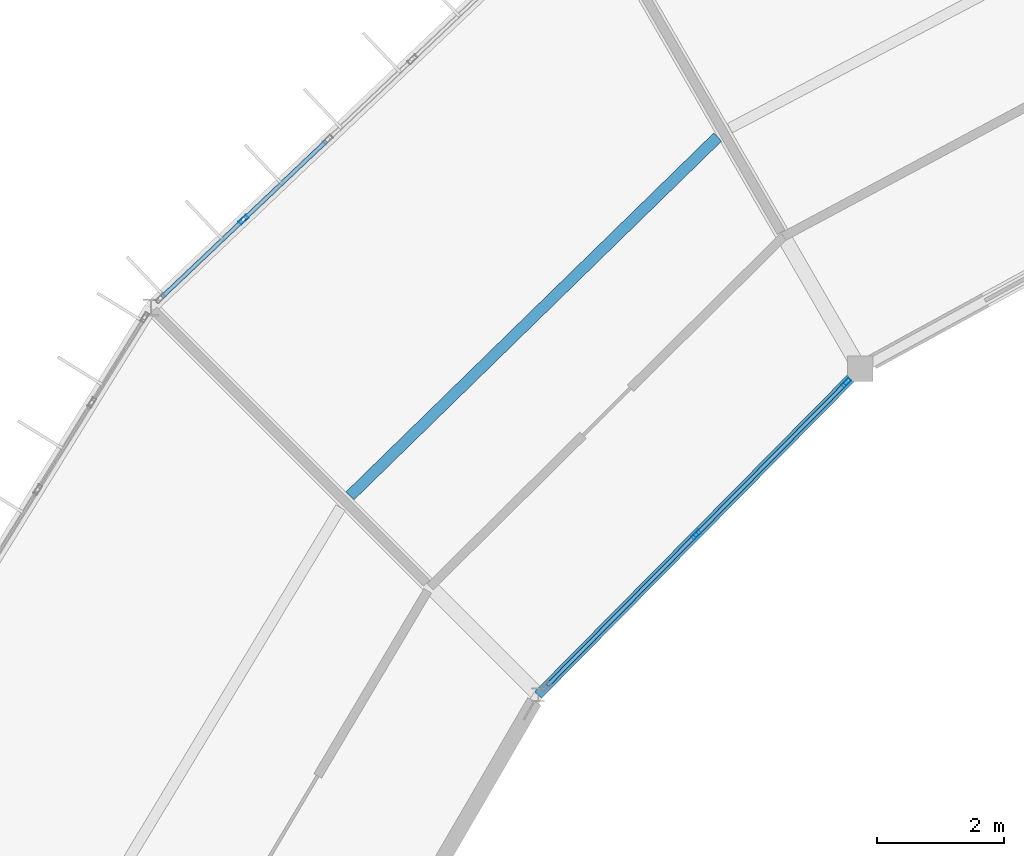
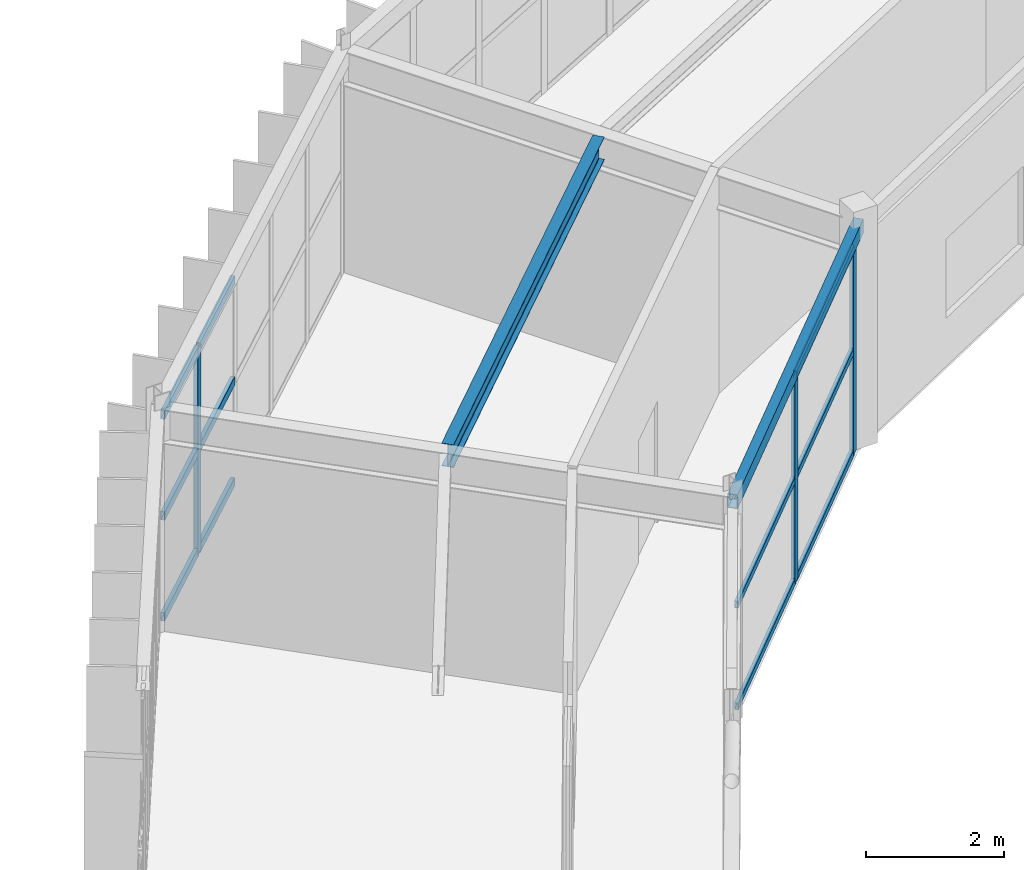
# One storey, part 69 of 134: 15 members, 2 beams, 2 elements without a shape of their own.
"""IFC4 building model written with IfcOpenShell, lengths in metres."""

from ifc_helpers import new_model, si_unit, direction, frame, origin, origin_2d, place, context, subcontext, project, spatial, hollow_rectangle, i_section, extrude, material, material_profile, profile_set, type_object, element, aggregate, save


model = new_model("IFC4")

# Units and contexts
model_context = context("Model", 3, precision=1e-05, world=origin(), true_north=direction((0.0, 1.0)))
body_context = subcontext(model_context, "Body", "Model", "MODEL_VIEW")
ifc_project = project(units=[si_unit("LENGTHUNIT", "METRE"), si_unit("AREAUNIT", "SQUARE_METRE"), si_unit("VOLUMEUNIT", "CUBIC_METRE"), si_unit("PLANEANGLEUNIT", "RADIAN"), si_unit("MASSUNIT", "GRAM", prefix="KILO")], contexts=[model_context])

# Site, building, storey
site_placement = place(None, origin())
site = spatial("IfcSite", under=ifc_project, at=site_placement, CompositionType="ELEMENT")
building_placement = place(site_placement, origin())
building = spatial("IfcBuilding", under=site, at=building_placement, Name="Karori Crest Natural Sciences Institute", CompositionType="ELEMENT")
storey_placement = place(building_placement, frame((0.0, 0.0, 21.699951171875)))
storey = spatial("IfcBuildingStorey", under=building, at=storey_placement, Name="L05", CompositionType="ELEMENT", Elevation=21.699951171875)

# Beams
ifc_material_1 = material(Name="Hollow structural steel AS/NZS 1163 Grade C350", Category="steel")
ifc_material_profile_1 = material_profile(ifc_material_1, hollow_rectangle(XDim=0.14990234375, YDim=0.25, WallThickness=0.009033203125, at=origin_2d()), Name="RHS250x150x9")
ifc_profile_set_1 = profile_set([ifc_material_profile_1], Name="Hollow structural steel AS/NZS 1163 Grade C350")
beam_type_1 = type_object("IfcBeamType", Name="BT-16", PredefinedType="SPANDREL", material=ifc_profile_set_1)
beam_1_placement = place(storey_placement, frame((54.199951171875, 77.785888671875, 3.7900390625), z_axis=(-0.70266285879, -0.711522948946, 0.0), x_axis=(0.711522948946, -0.70266285879, 0.0)))
element("IfcBeam", 1, at=beam_1_placement, inside=storey, type_object=beam_type_1, Name="Beam B-0572", PredefinedType="SPANDREL", context=body_context, shape_type="SweptSolid", body=[
    extrude(hollow_rectangle(XDim=0.14990234375, YDim=0.25, WallThickness=0.009033203125, at=origin_2d()), origin(), (0.0, 0.0, 1.0), 7.19189453125),
])
ifc_material_2 = material(Name="Structural steel AS/NZS 3679.1 Grade 350", Category="steel")
ifc_material_profile_2 = material_profile(ifc_material_2, i_section(OverallWidth=0.177978515625, OverallDepth=0.403076171875, WebThickness=0.007568359375, FlangeThickness=0.010986328125, FilletRadius=0.010986328125, at=origin_2d()), Name="410UB53.7")
ifc_profile_set_2 = profile_set([ifc_material_profile_2], Name="Structural steel AS/NZS 3679.1 Grade 350")
beam_type_2 = type_object("IfcBeamType", Name="BT-29", PredefinedType="BEAM", material=ifc_profile_set_2)
beam_2_placement = place(storey_placement, frame((51.964111328125, 81.426025390625, 3.738525390625), z_axis=(-0.715696324431, -0.698411605857, 0.0), x_axis=(0.698411605857, -0.715696324431, 0.0)))
element("IfcBeam", 2, at=beam_2_placement, inside=storey, type_object=beam_type_2, Name="Beam B-0574", PredefinedType="BEAM", context=body_context, shape_type="SweptSolid", body=[
    extrude(i_section(OverallWidth=0.177978515625, OverallDepth=0.403076171875, WebThickness=0.007568359375, FlangeThickness=0.010986328125, FilletRadius=0.010986328125, at=origin_2d()), origin(), (0.0, 0.0, 1.0), 8.065185546875),
])

# Curtain wall, member
ifc_material_3 = material(Name="Anodised architectural aluminium 6063-T6", Category="aluminium")
curtain_wall_type_1 = type_object("IfcCurtainWallType", Name="CWT-09", PredefinedType="NOTDEFINED", material=ifc_material_3)
curtain_wall_1_placement = place(storey_placement, origin())
curtain_wall_1 = element("IfcCurtainWall", 3, at=curtain_wall_1_placement, inside=storey, type_object=curtain_wall_type_1, Name="Curtain wall CW-0184", PredefinedType="NOTDEFINED")
ifc_material_profile_3 = material_profile(ifc_material_3, hollow_rectangle(XDim=0.06494140625, YDim=0.159912109375, WallThickness=0.00390625, at=origin_2d()), Name="CWM160x65x4")
ifc_profile_set_3 = profile_set([ifc_material_profile_3], Name="Anodised architectural aluminium 6063-T6")
member_type_1 = type_object("IfcMemberType", Name="CWM-01", PredefinedType="MULLION", material=ifc_profile_set_3)
member_1_placement = place(storey_placement, frame((44.5185546875, 80.12841796875, 0.0), z_axis=(0.0, 0.0, 1.0), x_axis=(-0.688250542104, 0.725473081026, 0.0)))
member_1 = element("IfcMember", 4, at=member_1_placement, type_object=member_type_1, Name="CW-0184 mullion 2", PredefinedType="MULLION", context=body_context, shape_type="SweptSolid", body=[
    extrude(hollow_rectangle(XDim=0.06494140625, YDim=0.159912109375, WallThickness=0.00390625, at=origin_2d()), origin(), (0.0, 0.0, 1.0), 3.625),
])

# Curtain wall, members
curtain_wall_type_2 = type_object("IfcCurtainWallType", Name="CWT-14", PredefinedType="NOTDEFINED", material=ifc_material_3)
curtain_wall_2_placement = place(storey_placement, origin())
curtain_wall_2 = element("IfcCurtainWall", 5, at=curtain_wall_2_placement, inside=storey, type_object=curtain_wall_type_2, Name="Curtain wall CW-0185", PredefinedType="NOTDEFINED")
member_2_placement = place(storey_placement, frame((53.98095703125, 77.564208984375, 0.0), z_axis=(0.0, 0.0, 1.0), x_axis=(0.711524963942, -0.702660818381, 0.0)))
member_2 = element("IfcMember", 6, at=member_2_placement, type_object=member_type_1, Name="CW-0185 mullion 1", PredefinedType="MULLION", context=body_context, shape_type="SweptSolid", body=[
    extrude(hollow_rectangle(XDim=0.06494140625, YDim=0.159912109375, WallThickness=0.00390625, at=origin_2d()), origin(), (0.0, 0.0, 1.0), 3.650146484375),
])
member_3_placement = place(storey_placement, frame((51.625732421875, 75.17919921875, 0.0), z_axis=(0.0, 0.0, 1.0), x_axis=(0.711524963942, -0.702660818381, 0.0)))
member_3 = element("IfcMember", 7, at=member_3_placement, type_object=member_type_1, Name="CW-0185 mullion 2", PredefinedType="MULLION", context=body_context, shape_type="SweptSolid", body=[
    extrude(hollow_rectangle(XDim=0.06494140625, YDim=0.159912109375, WallThickness=0.00390625, at=origin_2d()), origin(), (0.0, 0.0, 1.0), 3.650146484375),
])
ifc_material_profile_4 = material_profile(ifc_material_3, hollow_rectangle(XDim=0.06005859375, YDim=0.1201171875, WallThickness=0.00390625, at=origin_2d()), Name="CWT120x60x4")
ifc_profile_set_4 = profile_set([ifc_material_profile_4], Name="Anodised architectural aluminium 6063-T6")
member_type_2 = type_object("IfcMemberType", Name="CWT-TR1", PredefinedType="USERDEFINED", material=ifc_profile_set_4)
member_4_placement = place(storey_placement, frame((53.958251953125, 77.541259765625, 0.030029296875), z_axis=(-0.702636271003, -0.711549204673, 0.0), x_axis=(0.711549204673, -0.702636271003, 0.0)))
member_4 = element("IfcMember", 8, at=member_4_placement, type_object=member_type_2, Name="CW-0185 transom 1.1", ObjectType="TRANSOM", PredefinedType="USERDEFINED", context=body_context, shape_type="SweptSolid", body=[
    extrude(hollow_rectangle(XDim=0.06005859375, YDim=0.1201171875, WallThickness=0.00390625, at=origin_2d()), origin(), (0.0, 0.0, 1.0), 3.287109375),
])
member_5_placement = place(storey_placement, frame((53.958251953125, 77.541259765625, 1.824951171875), z_axis=(-0.702636271003, -0.711549204673, 0.0), x_axis=(0.711549204673, -0.702636271003, 0.0)))
member_5 = element("IfcMember", 9, at=member_5_placement, type_object=member_type_2, Name="CW-0185 transom 1.2", ObjectType="TRANSOM", PredefinedType="USERDEFINED", context=body_context, shape_type="SweptSolid", body=[
    extrude(hollow_rectangle(XDim=0.06005859375, YDim=0.1201171875, WallThickness=0.00390625, at=origin_2d()), origin(), (0.0, 0.0, 1.0), 3.287109375),
])
member_6_placement = place(storey_placement, frame((53.958251953125, 77.541259765625, 3.6201171875), z_axis=(-0.702636271003, -0.711549204673, 0.0), x_axis=(0.711549204673, -0.702636271003, 0.0)))
member_6 = element("IfcMember", 10, at=member_6_placement, type_object=member_type_2, Name="CW-0185 transom 1.3", ObjectType="TRANSOM", PredefinedType="USERDEFINED", context=body_context, shape_type="SweptSolid", body=[
    extrude(hollow_rectangle(XDim=0.06005859375, YDim=0.1201171875, WallThickness=0.00390625, at=origin_2d()), origin(), (0.0, 0.0, 1.0), 3.287109375),
])
member_7_placement = place(storey_placement, frame((51.60302734375, 75.15625, 0.030029296875), z_axis=(-0.702636271003, -0.711549204673, 0.0), x_axis=(0.711549204673, -0.702636271003, 0.0)))
member_7 = element("IfcMember", 11, at=member_7_placement, type_object=member_type_2, Name="CW-0185 transom 2.1", ObjectType="TRANSOM", PredefinedType="USERDEFINED", context=body_context, shape_type="SweptSolid", body=[
    extrude(hollow_rectangle(XDim=0.06005859375, YDim=0.1201171875, WallThickness=0.00390625, at=origin_2d()), origin(), (0.0, 0.0, 1.0), 3.287109375),
])
member_8_placement = place(storey_placement, frame((51.60302734375, 75.15625, 1.824951171875), z_axis=(-0.702636271003, -0.711549204673, 0.0), x_axis=(0.711549204673, -0.702636271003, 0.0)))
member_8 = element("IfcMember", 12, at=member_8_placement, type_object=member_type_2, Name="CW-0185 transom 2.2", ObjectType="TRANSOM", PredefinedType="USERDEFINED", context=body_context, shape_type="SweptSolid", body=[
    extrude(hollow_rectangle(XDim=0.06005859375, YDim=0.1201171875, WallThickness=0.00390625, at=origin_2d()), origin(), (0.0, 0.0, 1.0), 3.287109375),
])
member_9_placement = place(storey_placement, frame((51.60302734375, 75.15625, 3.6201171875), z_axis=(-0.702636271003, -0.711549204673, 0.0), x_axis=(0.711549204673, -0.702636271003, 0.0)))
member_9 = element("IfcMember", 13, at=member_9_placement, type_object=member_type_2, Name="CW-0185 transom 2.3", ObjectType="TRANSOM", PredefinedType="USERDEFINED", context=body_context, shape_type="SweptSolid", body=[
    extrude(hollow_rectangle(XDim=0.06005859375, YDim=0.1201171875, WallThickness=0.00390625, at=origin_2d()), origin(), (0.0, 0.0, 1.0), 3.287109375),
])
aggregate(curtain_wall_2, [member_2, member_3, member_4, member_5, member_6, member_7, member_8, member_9])

# Member
ifc_material_profile_5 = material_profile(ifc_material_3, hollow_rectangle(XDim=0.06494140625, YDim=0.14990234375, WallThickness=0.00390625, at=origin_2d()), Name="CWT150x65x4")
ifc_profile_set_5 = profile_set([ifc_material_profile_5], Name="Anodised architectural aluminium 6063-T6")
member_type_3 = type_object("IfcMemberType", Name="CWT-TR2", PredefinedType="USERDEFINED", material=ifc_profile_set_5)
member_10_placement = place(storey_placement, frame((43.2392578125, 78.914794921875, 0.032470703125), z_axis=(0.725481758098, 0.688241395636, 0.0), x_axis=(-0.688241395636, 0.725481758098, 0.0)))
member_10 = element("IfcMember", 14, at=member_10_placement, type_object=member_type_3, Name="CW-0184 transom 1.1", ObjectType="TRANSOM", PredefinedType="USERDEFINED", context=body_context, shape_type="SweptSolid", body=[
    extrude(hollow_rectangle(XDim=0.06494140625, YDim=0.14990234375, WallThickness=0.00390625, at=origin_2d()), origin(), (0.0, 0.0, 1.0), 1.730712890625),
])

member_11_placement = place(storey_placement, frame((43.2392578125, 78.914794921875, 1.8125), z_axis=(0.725481758098, 0.688241395636, 0.0), x_axis=(-0.688241395636, 0.725481758098, 0.0)))
member_11 = element("IfcMember", 15, at=member_11_placement, type_object=member_type_3, Name="CW-0184 transom 1.2", ObjectType="TRANSOM", PredefinedType="USERDEFINED", context=body_context, shape_type="SweptSolid", body=[
    extrude(hollow_rectangle(XDim=0.06494140625, YDim=0.14990234375, WallThickness=0.00390625, at=origin_2d()), origin(), (0.0, 0.0, 1.0), 1.730712890625),
])

member_12_placement = place(storey_placement, frame((43.2392578125, 78.914794921875, 3.592529296875), z_axis=(0.725481758098, 0.688241395636, 0.0), x_axis=(-0.688241395636, 0.725481758098, 0.0)))
member_12 = element("IfcMember", 16, at=member_12_placement, type_object=member_type_3, Name="CW-0184 transom 1.3", ObjectType="TRANSOM", PredefinedType="USERDEFINED", context=body_context, shape_type="SweptSolid", body=[
    extrude(hollow_rectangle(XDim=0.06494140625, YDim=0.14990234375, WallThickness=0.00390625, at=origin_2d()), origin(), (0.0, 0.0, 1.0), 1.730712890625),
])

member_13_placement = place(storey_placement, frame((44.5419921875, 80.15087890625, 0.032470703125), z_axis=(0.725548767107, 0.688170753919, 0.0), x_axis=(-0.688170753919, 0.725548767107, 0.0)))
member_13 = element("IfcMember", 17, at=member_13_placement, type_object=member_type_3, Name="CW-0184 transom 2.1", ObjectType="TRANSOM", PredefinedType="USERDEFINED", context=body_context, shape_type="SweptSolid", body=[
    extrude(hollow_rectangle(XDim=0.06494140625, YDim=0.14990234375, WallThickness=0.00390625, at=origin_2d()), origin(), (0.0, 0.0, 1.0), 1.763427734375),
])

member_14_placement = place(storey_placement, frame((44.5419921875, 80.15087890625, 1.8125), z_axis=(0.725548767107, 0.688170753919, 0.0), x_axis=(-0.688170753919, 0.725548767107, 0.0)))
member_14 = element("IfcMember", 18, at=member_14_placement, type_object=member_type_3, Name="CW-0184 transom 2.2", ObjectType="TRANSOM", PredefinedType="USERDEFINED", context=body_context, shape_type="SweptSolid", body=[
    extrude(hollow_rectangle(XDim=0.06494140625, YDim=0.14990234375, WallThickness=0.00390625, at=origin_2d()), origin(), (0.0, 0.0, 1.0), 1.763427734375),
])

member_15_placement = place(storey_placement, frame((44.5419921875, 80.15087890625, 3.592529296875), z_axis=(0.725548767107, 0.688170753919, 0.0), x_axis=(-0.688170753919, 0.725548767107, 0.0)))
member_15 = element("IfcMember", 19, at=member_15_placement, type_object=member_type_3, Name="CW-0184 transom 2.3", ObjectType="TRANSOM", PredefinedType="USERDEFINED", context=body_context, shape_type="SweptSolid", body=[
    extrude(hollow_rectangle(XDim=0.06494140625, YDim=0.14990234375, WallThickness=0.00390625, at=origin_2d()), origin(), (0.0, 0.0, 1.0), 1.763427734375),
])

aggregate(curtain_wall_1, [member_1, member_10, member_11, member_12, member_13, member_14, member_15])

save(model, "model.ifc")
